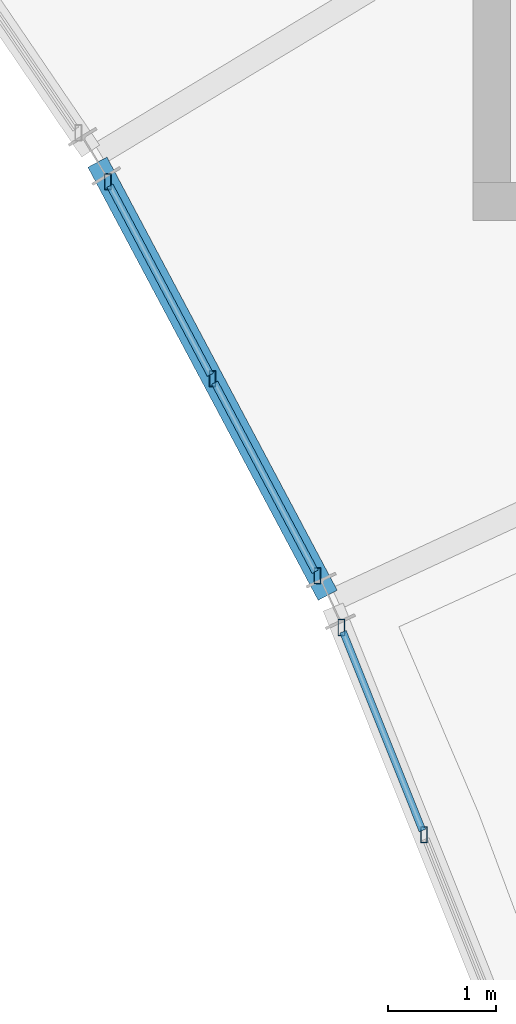
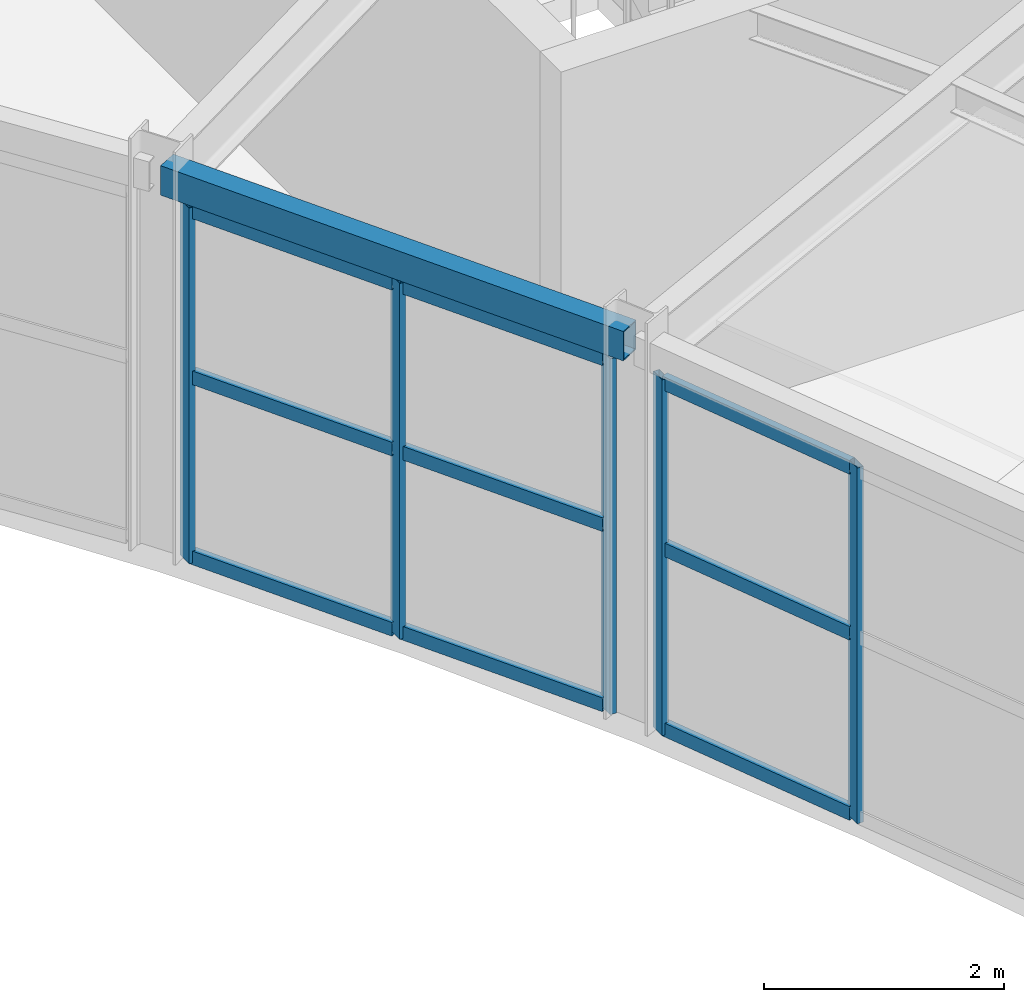
# One storey, part 12 of 29: 14 members, 1 beam, 2 elements without a shape of their own.
"""IFC4 building model written with IfcOpenShell, lengths in metres."""

from ifc_helpers import new_model, si_unit, direction, frame, origin, origin_2d, place, context, subcontext, project, spatial, hollow_rectangle, extrude, material, material_profile, profile_set, type_object, element, aggregate, save


model = new_model("IFC4")

# Units and contexts
model_context = context("Model", 3, precision=1e-05, world=origin(), true_north=direction((0.0, 1.0)))
body_context = subcontext(model_context, "Body", "Model", "MODEL_VIEW")
ifc_project = project(units=[si_unit("LENGTHUNIT", "METRE"), si_unit("AREAUNIT", "SQUARE_METRE"), si_unit("VOLUMEUNIT", "CUBIC_METRE"), si_unit("PLANEANGLEUNIT", "RADIAN"), si_unit("MASSUNIT", "GRAM", prefix="KILO")], contexts=[model_context])

# Site, building, storey
site_placement = place(None, origin())
site = spatial("IfcSite", under=ifc_project, at=site_placement, CompositionType="ELEMENT")
building_placement = place(site_placement, origin())
building = spatial("IfcBuilding", under=site, at=building_placement, Name="Tarnveldt Headland Concert Hall", CompositionType="ELEMENT")
storey_placement = place(building_placement, frame((0.0, 0.0, 18.60009765625)))
storey = spatial("IfcBuildingStorey", under=building, at=storey_placement, Name="L04", CompositionType="ELEMENT", Elevation=18.60009765625)

# Curtain wall, members
ifc_material_1 = material(Name="Marine-anodised aluminium EN AW-6063-T6", Category="aluminium")
curtain_wall_type = type_object("IfcCurtainWallType", Name="CW-C5", PredefinedType="NOTDEFINED", material=ifc_material_1)
curtain_wall_1_placement = place(storey_placement, origin())
curtain_wall_1 = element("IfcCurtainWall", 1, at=curtain_wall_1_placement, inside=storey, type_object=curtain_wall_type, Name="Curtain wall CW-L04-150", PredefinedType="NOTDEFINED")
ifc_material_profile_1 = material_profile(ifc_material_1, hollow_rectangle(XDim=0.06005859375, YDim=0.14990234375, WallThickness=0.00390625, at=origin_2d()), Name="ALU MULLION 60x150x4", Category="aluminium")
ifc_profile_set_1 = profile_set([ifc_material_profile_1], Name="Marine-anodised aluminium EN AW-6063-T6")
member_type_1 = type_object("IfcMemberType", Name="ML-150", PredefinedType="MULLION", material=ifc_profile_set_1)
member_1_placement = place(storey_placement, frame((157.372314453125, 75.9296875, 0.0), z_axis=(0.0, 0.0, 1.0), x_axis=(1.0, 0.0, 0.0)))
member_1 = element("IfcMember", 2, at=member_1_placement, type_object=member_type_1, Name="Mullion CW-L04-150-2", PredefinedType="MULLION", context=body_context, shape_type="SweptSolid", body=[
    extrude(hollow_rectangle(XDim=0.06005859375, YDim=0.14990234375, WallThickness=0.00390625, at=origin_2d()), origin(), (0.0, 0.0, 1.0), 3.619873046875),
])
member_2_placement = place(storey_placement, frame((156.604736328125, 77.850830078125, 0.0), z_axis=(0.0, 0.0, 1.0), x_axis=(1.0, 0.0, 0.0)))
member_2 = element("IfcMember", 3, at=member_2_placement, type_object=member_type_1, Name="Mullion CW-L04-150-3", PredefinedType="MULLION", context=body_context, shape_type="SweptSolid", body=[
    extrude(hollow_rectangle(XDim=0.06005859375, YDim=0.14990234375, WallThickness=0.00390625, at=origin_2d()), origin(), (0.0, 0.0, 1.0), 3.619873046875),
])

curtain_wall_2_placement = place(storey_placement, origin())
curtain_wall_2 = element("IfcCurtainWall", 4, at=curtain_wall_2_placement, inside=storey, type_object=curtain_wall_type, Name="Curtain wall CW-L04-151", PredefinedType="NOTDEFINED")
member_3_placement = place(storey_placement, frame((156.382080078125, 78.3310546875, 0.0), z_axis=(0.0, 0.0, 1.0), x_axis=(1.0, 0.0, 0.0)))
member_3 = element("IfcMember", 5, at=member_3_placement, type_object=member_type_1, Name="Mullion CW-L04-151-1", PredefinedType="MULLION", context=body_context, shape_type="SweptSolid", body=[
    extrude(hollow_rectangle(XDim=0.06005859375, YDim=0.14990234375, WallThickness=0.00390625, at=origin_2d()), origin(), (0.0, 0.0, 1.0), 3.619873046875),
])
member_4_placement = place(storey_placement, frame((155.410888671875, 80.15771484375, 0.0), z_axis=(0.0, 0.0, 1.0), x_axis=(1.0, 0.0, 0.0)))
member_4 = element("IfcMember", 6, at=member_4_placement, type_object=member_type_1, Name="Mullion CW-L04-151-2", PredefinedType="MULLION", context=body_context, shape_type="SweptSolid", body=[
    extrude(hollow_rectangle(XDim=0.06005859375, YDim=0.14990234375, WallThickness=0.00390625, at=origin_2d()), origin(), (0.0, 0.0, 1.0), 3.619873046875),
])
member_5_placement = place(storey_placement, frame((154.439697265625, 81.984130859375, 0.0), z_axis=(0.0, 0.0, 1.0), x_axis=(1.0, 0.0, 0.0)))
member_5 = element("IfcMember", 7, at=member_5_placement, type_object=member_type_1, Name="Mullion CW-L04-151-3", PredefinedType="MULLION", context=body_context, shape_type="SweptSolid", body=[
    extrude(hollow_rectangle(XDim=0.06005859375, YDim=0.14990234375, WallThickness=0.00390625, at=origin_2d()), origin(), (0.0, 0.0, 1.0), 3.619873046875),
])

# Beam
ifc_material_2 = material(Name="Steel S355", Category="steel")
ifc_material_profile_2 = material_profile(ifc_material_2, hollow_rectangle(XDim=0.199951171875, YDim=0.300048828125, WallThickness=0.012451171875, at=origin_2d()), Name="RHS 300x200x12.5", Category="steel")
ifc_profile_set_2 = profile_set([ifc_material_profile_2], Name="Steel S355")
beam_type = type_object("IfcBeamType", Name="SB-RHS300", PredefinedType="SPANDREL", material=ifc_profile_set_2)
beam_placement = place(storey_placement, frame((156.478271484375, 78.14990234375, 3.829833984375), z_axis=(-0.469450914916, 0.882958571216, 0.0), x_axis=(-0.882958571216, -0.469450914916, 0.0)))
element("IfcBeam", 8, at=beam_placement, inside=storey, type_object=beam_type, Name="Framing beam L04-1386", PredefinedType="SPANDREL", context=body_context, shape_type="SweptSolid", body=[
    extrude(hollow_rectangle(XDim=0.199951171875, YDim=0.300048828125, WallThickness=0.012451171875, at=origin_2d()), origin(), (0.0, 0.0, 1.0), 4.54736328125),
])

# Member
ifc_material_profile_3 = material_profile(ifc_material_1, hollow_rectangle(XDim=0.06494140625, YDim=0.139892578125, WallThickness=0.00390625, at=origin_2d()), Name="ALU TRANSOM 65x140x4", Category="aluminium")
ifc_profile_set_3 = profile_set([ifc_material_profile_3], Name="Marine-anodised aluminium EN AW-6063-T6")
member_type_2 = type_object("IfcMemberType", Name="TR-140", PredefinedType="MEMBER", material=ifc_profile_set_3)
member_6_placement = place(storey_placement, frame((157.356689453125, 75.968994140625, 0.0498046875), z_axis=(-0.371008878758, 0.92862931888, 0.0), x_axis=(-0.92862931888, -0.371008878758, 0.0)))
member_6 = element("IfcMember", 9, at=member_6_placement, type_object=member_type_2, Name="Transom CW-L04-150-2-1", PredefinedType="MEMBER", context=body_context, shape_type="SweptSolid", body=[
    extrude(hollow_rectangle(XDim=0.06494140625, YDim=0.139892578125, WallThickness=0.00390625, at=origin_2d()), origin(), (0.0, 0.0, 1.0), 1.984619140625),
])

member_7_placement = place(storey_placement, frame((157.356689453125, 75.968994140625, 1.88232421875), z_axis=(-0.371008878758, 0.92862931888, 0.0), x_axis=(-0.92862931888, -0.371008878758, 0.0)))
member_7 = element("IfcMember", 10, at=member_7_placement, type_object=member_type_2, Name="Transom CW-L04-150-2-2", PredefinedType="MEMBER", context=body_context, shape_type="SweptSolid", body=[
    extrude(hollow_rectangle(XDim=0.06494140625, YDim=0.139892578125, WallThickness=0.00390625, at=origin_2d()), origin(), (0.0, 0.0, 1.0), 1.984619140625),
])

member_8_placement = place(storey_placement, frame((157.356689453125, 75.968994140625, 3.56982421875), z_axis=(-0.371008878758, 0.92862931888, 0.0), x_axis=(-0.92862931888, -0.371008878758, 0.0)))
member_8 = element("IfcMember", 11, at=member_8_placement, type_object=member_type_2, Name="Transom CW-L04-150-2-3", PredefinedType="MEMBER", context=body_context, shape_type="SweptSolid", body=[
    extrude(hollow_rectangle(XDim=0.06494140625, YDim=0.139892578125, WallThickness=0.00390625, at=origin_2d()), origin(), (0.0, 0.0, 1.0), 1.984619140625),
])

aggregate(curtain_wall_1, [member_1, member_2, member_6, member_7, member_8])

member_9_placement = place(storey_placement, frame((156.3623046875, 78.3681640625, 0.0498046875), z_axis=(-0.469508932223, 0.882927722163, 0.0), x_axis=(-0.882927722163, -0.469508932223, 0.0)))
member_9 = element("IfcMember", 12, at=member_9_placement, type_object=member_type_2, Name="Transom CW-L04-151-1-1", PredefinedType="MEMBER", context=body_context, shape_type="SweptSolid", body=[
    extrude(hollow_rectangle(XDim=0.06494140625, YDim=0.139892578125, WallThickness=0.00390625, at=origin_2d()), origin(), (0.0, 0.0, 1.0), 1.98486328125),
])

member_10_placement = place(storey_placement, frame((156.3623046875, 78.3681640625, 1.88232421875), z_axis=(-0.469508932223, 0.882927722163, 0.0), x_axis=(-0.882927722163, -0.469508932223, 0.0)))
member_10 = element("IfcMember", 13, at=member_10_placement, type_object=member_type_2, Name="Transom CW-L04-151-1-2", PredefinedType="MEMBER", context=body_context, shape_type="SweptSolid", body=[
    extrude(hollow_rectangle(XDim=0.06494140625, YDim=0.139892578125, WallThickness=0.00390625, at=origin_2d()), origin(), (0.0, 0.0, 1.0), 1.98486328125),
])

member_11_placement = place(storey_placement, frame((156.3623046875, 78.3681640625, 3.56982421875), z_axis=(-0.469508932223, 0.882927722163, 0.0), x_axis=(-0.882927722163, -0.469508932223, 0.0)))
member_11 = element("IfcMember", 14, at=member_11_placement, type_object=member_type_2, Name="Transom CW-L04-151-1-3", PredefinedType="MEMBER", context=body_context, shape_type="SweptSolid", body=[
    extrude(hollow_rectangle(XDim=0.06494140625, YDim=0.139892578125, WallThickness=0.00390625, at=origin_2d()), origin(), (0.0, 0.0, 1.0), 1.98486328125),
])

member_12_placement = place(storey_placement, frame((155.39111328125, 80.194580078125, 0.0498046875), z_axis=(-0.469508932223, 0.882927722163, 0.0), x_axis=(-0.882927722163, -0.469508932223, 0.0)))
member_12 = element("IfcMember", 15, at=member_12_placement, type_object=member_type_2, Name="Transom CW-L04-151-2-1", PredefinedType="MEMBER", context=body_context, shape_type="SweptSolid", body=[
    extrude(hollow_rectangle(XDim=0.06494140625, YDim=0.139892578125, WallThickness=0.00390625, at=origin_2d()), origin(), (0.0, 0.0, 1.0), 1.98486328125),
])

member_13_placement = place(storey_placement, frame((155.39111328125, 80.194580078125, 1.88232421875), z_axis=(-0.469508932223, 0.882927722163, 0.0), x_axis=(-0.882927722163, -0.469508932223, 0.0)))
member_13 = element("IfcMember", 16, at=member_13_placement, type_object=member_type_2, Name="Transom CW-L04-151-2-2", PredefinedType="MEMBER", context=body_context, shape_type="SweptSolid", body=[
    extrude(hollow_rectangle(XDim=0.06494140625, YDim=0.139892578125, WallThickness=0.00390625, at=origin_2d()), origin(), (0.0, 0.0, 1.0), 1.98486328125),
])

member_14_placement = place(storey_placement, frame((155.39111328125, 80.194580078125, 3.56982421875), z_axis=(-0.469508932223, 0.882927722163, 0.0), x_axis=(-0.882927722163, -0.469508932223, 0.0)))
member_14 = element("IfcMember", 17, at=member_14_placement, type_object=member_type_2, Name="Transom CW-L04-151-2-3", PredefinedType="MEMBER", context=body_context, shape_type="SweptSolid", body=[
    extrude(hollow_rectangle(XDim=0.06494140625, YDim=0.139892578125, WallThickness=0.00390625, at=origin_2d()), origin(), (0.0, 0.0, 1.0), 1.98486328125),
])

aggregate(curtain_wall_2, [member_3, member_4, member_5, member_9, member_10, member_11, member_12, member_13, member_14])

save(model, "model.ifc")
